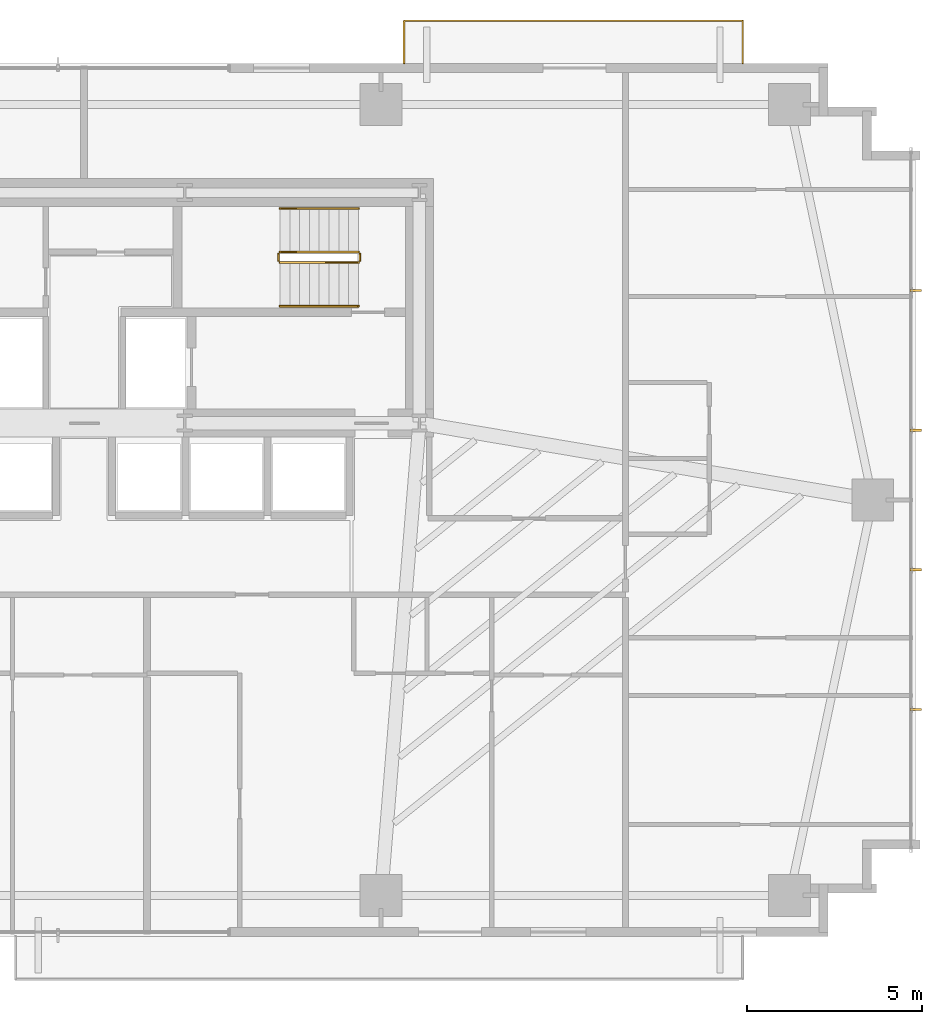
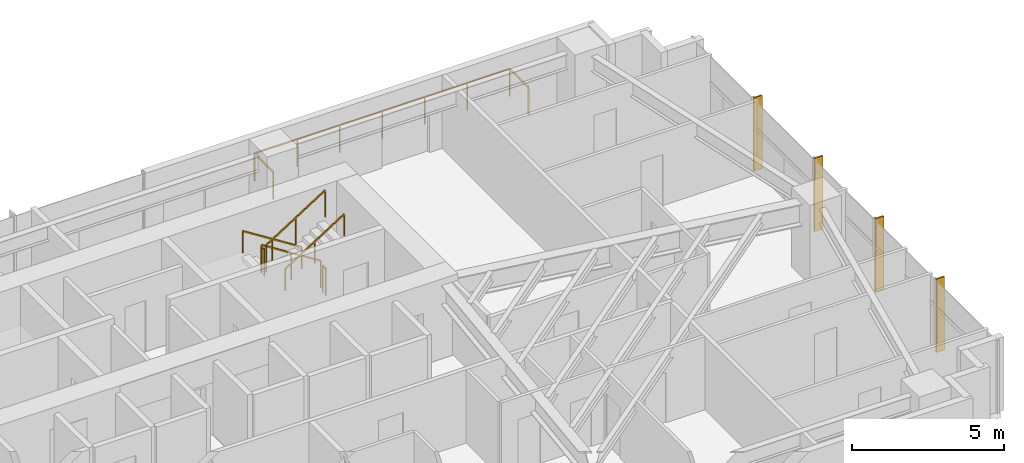
# One storey, part 25 of 25: 7 railings, 4 shading devices.
"""IFC4 building model written with IfcOpenShell, lengths in metres."""

import ifcopenshell
import ifcopenshell.guid

model = None  # the IFC model being written
_history = None  # IfcOwnerHistory: only IFC2X3 demands one
_inside = {}  # id of a spatial element -> (the spatial element, [elements in it])
_under = {}  # id of a project, library or spatial element -> (it, [spatial elements below it])
_declared = {}  # id of a project -> (the project, [libraries it declares])
_typed = {}  # id of a type object -> (the type object, [elements of that type])
_made_of = {}  # id of a material, layer set ... -> (it, [elements and type objects made of it])


def new_model(schema):
    """Start an empty IFC model of exactly this schema.

    Asked for "IFC4X3", IfcOpenShell would pick the latest addendum, in which some entities
    have other attributes; the version numbers below select the first issue.
    IFC2X3 requires an IfcOwnerHistory on every rooted entity: one is made here for all.
    """
    global model, _history
    if schema == "IFC4X3":
        model = ifcopenshell.file(schema_version=(4, 3, 0, 0))
    else:
        model = ifcopenshell.file(schema=schema)
    _inside.clear()
    _under.clear()
    _declared.clear()
    _typed.clear()
    _made_of.clear()
    _history = None
    if model.schema == "IFC2X3":
        org = make("IfcOrganization", Name="unknown")
        user = make(
            "IfcPersonAndOrganization",
            ThePerson=make("IfcPerson", FamilyName="unknown"),
            TheOrganization=org,
        )
        app = make(
            "IfcApplication",
            ApplicationDeveloper=org,
            Version="unknown",
            ApplicationFullName="unknown",
            ApplicationIdentifier="unknown",
        )
        _history = make(
            "IfcOwnerHistory",
            OwningUser=user,
            OwningApplication=app,
            ChangeAction="ADDED",
            CreationDate=0,
        )
    return model


def make(cls, **values):
    """One entity of the class cls with the attributes given. An attribute that is None is left unset."""
    return model.create_entity(
        cls, **{name: value for name, value in values.items() if value is not None}
    )


def rooted(cls, **values):
    """An entity with a GlobalId (a new one), such as an element, a storey or a relation."""
    return make(cls, GlobalId=ifcopenshell.guid.new(), OwnerHistory=_history, **values)


def si_unit(unit_type, name, prefix=None):
    """IfcSIUnit, for example si_unit("LENGTHUNIT", "METRE", prefix="MILLI")."""
    return make("IfcSIUnit", UnitType=unit_type, Prefix=prefix, Name=name)


def assignment(units):
    """IfcUnitAssignment: the units of a project."""
    return None if units is None else make("IfcUnitAssignment", Units=units)


def point(xyz):
    """IfcCartesianPoint."""
    return None if xyz is None else make("IfcCartesianPoint", Coordinates=xyz)


def direction(xyz):
    """IfcDirection."""
    return None if xyz is None else make("IfcDirection", DirectionRatios=xyz)


def frame(location, z_axis=None, x_axis=None):
    """IfcAxis2Placement3D, a coordinate frame: its origin and axes. An axis left out is left unset."""
    return make(
        "IfcAxis2Placement3D",
        Location=point(location),
        Axis=direction(z_axis),
        RefDirection=direction(x_axis),
    )


def frame_2d(location, x_axis=None):
    """IfcAxis2Placement2D, a coordinate frame in the plane: its origin and x axis."""
    return make(
        "IfcAxis2Placement2D", Location=point(location), RefDirection=direction(x_axis)
    )


def origin():
    """The frame at (0, 0, 0) with its axes left unset."""
    return frame((0.0, 0.0, 0.0))


def origin_2d():
    """The frame at (0, 0) in the plane with its x axis left unset."""
    return frame_2d((0.0, 0.0))


def place(relative_to, where):
    """IfcLocalPlacement: puts the frame where relative to a parent placement (None: the world)."""
    return make(
        "IfcLocalPlacement", PlacementRelTo=relative_to, RelativePlacement=where
    )


def context(
    kind, dimensions, precision=None, world=None, true_north=None, identifier=None
):
    """IfcGeometricRepresentationContext, for example the 3D "Model" context."""
    return make(
        "IfcGeometricRepresentationContext",
        ContextIdentifier=identifier,
        ContextType=kind,
        CoordinateSpaceDimension=dimensions,
        Precision=precision,
        WorldCoordinateSystem=world,
        TrueNorth=true_north,
    )


def subcontext(parent, identifier, kind, view, scale=None):
    """IfcGeometricRepresentationSubContext, for example "Body" below "Model"."""
    return make(
        "IfcGeometricRepresentationSubContext",
        ContextIdentifier=identifier,
        ContextType=kind,
        ParentContext=parent,
        TargetScale=scale,
        TargetView=view,
    )


def project(units=None, contexts=None):
    """IfcProject with its units and contexts."""
    return rooted(
        "IfcProject",
        Name="project",
        RepresentationContexts=contexts,
        UnitsInContext=assignment(units),
    )


def spatial(cls, under=None, at=None, **own):
    """A site, building, storey or space (cls), placed at a placement, below another one or the project."""
    s = rooted(cls, ObjectPlacement=at, **own)
    if under is not None:
        _under.setdefault(under.id(), (under, []))[1].append(s)
    return s


def profile(cls, at=None, kind="AREA", **sizes):
    """A parametric profile (cls). Its sizes go by their IFC names, for example OverallWidth=200.0."""
    return make(cls, ProfileType=kind, Position=at, **sizes)


def rectangle(**sizes):
    """IfcRectangleProfileDef."""
    return profile("IfcRectangleProfileDef", **sizes)


def extrude(swept, where, along, depth):
    """IfcExtrudedAreaSolid: the profile swept, set in the frame where, extruded along a direction by depth."""
    return make(
        "IfcExtrudedAreaSolid",
        SweptArea=swept,
        Position=where,
        ExtrudedDirection=direction(along),
        Depth=depth,
    )


def shape(context_of_items, identifier, shape_type, items):
    """IfcShapeRepresentation: the items that make up one representation, for example the "Body"."""
    return make(
        "IfcShapeRepresentation",
        ContextOfItems=context_of_items,
        RepresentationIdentifier=identifier,
        RepresentationType=shape_type,
        Items=items,
    )


def source(mapping_origin, context_of_items, identifier, shape_type, items):
    """IfcRepresentationMap: a shape defined once, which mapped items show again and again."""
    return make(
        "IfcRepresentationMap",
        MappingOrigin=mapping_origin,
        MappedRepresentation=shape(context_of_items, identifier, shape_type, items),
    )


def transform(
    local_origin,
    x_axis=None,
    y_axis=None,
    z_axis=None,
    scale=None,
    scale2=None,
    scale3=None,
    uniform=True,
):
    """IfcCartesianTransformationOperator3D, or its non-uniform kind. x_axis, y_axis, z_axis: its Axis1, 2, 3."""
    if uniform:
        return make(
            "IfcCartesianTransformationOperator3D",
            Axis1=direction(x_axis),
            Axis2=direction(y_axis),
            LocalOrigin=point(local_origin),
            Scale=scale,
            Axis3=direction(z_axis),
        )
    return make(
        "IfcCartesianTransformationOperator3DnonUniform",
        Axis1=direction(x_axis),
        Axis2=direction(y_axis),
        LocalOrigin=point(local_origin),
        Scale=scale,
        Axis3=direction(z_axis),
        Scale2=scale2,
        Scale3=scale3,
    )


def mapped(mapping_source, mapping_target):
    """IfcMappedItem: shows the shape of a source again, moved by a transform."""
    return make(
        "IfcMappedItem", MappingSource=mapping_source, MappingTarget=mapping_target
    )


def material(Name=None, Category=None):
    """IfcMaterial."""
    return make("IfcMaterial", Name=Name, Category=Category)


def made_of(thing, what):
    """Note that an element or type object is made of a material, layer set ...; save() writes the relation."""
    if what is not None:
        _made_of.setdefault(what.id(), (what, []))[1].append(thing)
    return thing


def type_object(cls, material=None, **own):
    """A type object (cls), such as IfcWallType, which elements share."""
    return made_of(rooted(cls, **own), material)


def type_shapes(of_type, sources):
    """Give a type object the sources (RepresentationMaps) that its elements show as mapped items."""
    of_type.RepresentationMaps = sources


def element(
    cls,
    number,
    at=None,
    inside=None,
    cuts=None,
    type_object=None,
    material=None,
    context=None,
    identifier="Body",
    shape_type=None,
    held_by="IfcProductDefinitionShape",
    body=None,
    shapes=None,
    **own,
):
    """One element of the class cls, such as IfcWall. Its Tag is "e" and its number.

    at: its placement. inside: the storey or other place that contains it. cuts: it is an
    opening in that element (IfcRelVoidsElement). A single representation is given by context,
    identifier, shape_type and body (its items); several are given by shapes. held_by: the class
    of the entity that holds the representations. save() writes the other relations.
    """
    e = rooted(cls, Tag="e%d" % number, ObjectPlacement=at, **own)
    if body is not None:
        shapes = [shape(context, identifier, shape_type, body)]
    if shapes is not None:
        e.Representation = make(held_by, Representations=shapes)
    if inside is not None:
        _inside.setdefault(inside.id(), (inside, []))[1].append(e)
    if cuts is not None:
        rooted(
            "IfcRelVoidsElement", RelatingBuildingElement=cuts, RelatedOpeningElement=e
        )
    if type_object is not None:
        _typed.setdefault(type_object.id(), (type_object, []))[1].append(e)
    return made_of(e, material)


def aggregate(whole, parts):
    """IfcRelAggregates: a whole, such as a stair, and the parts it consists of."""
    return rooted("IfcRelAggregates", RelatingObject=whole, RelatedObjects=parts)


def save(model, path):
    """Write the relations noted so far, then the file.

    IfcRelAggregates (storeys below a building ...), IfcRelContainedInSpatialStructure (elements
    in a storey), IfcRelDefinesByType, IfcRelAssociatesMaterial and IfcRelDeclares: one each for
    every whole, place, type object, material and project.
    """
    for whole, parts in _under.values():
        aggregate(whole, parts)
    for where, things in _inside.values():
        rooted(
            "IfcRelContainedInSpatialStructure",
            RelatedElements=things,
            RelatingStructure=where,
        )
    for kind, things in _typed.values():
        rooted("IfcRelDefinesByType", RelatedObjects=things, RelatingType=kind)
    for what, things in _made_of.values():
        rooted("IfcRelAssociatesMaterial", RelatedObjects=things, RelatingMaterial=what)
    for by, libraries in _declared.values():
        rooted("IfcRelDeclares", RelatingContext=by, RelatedDefinitions=libraries)
    model.write(path)


model = new_model("IFC4")

# Units and contexts
model_context = context("Model", 3, precision=1e-05, world=origin(), true_north=direction((0.0, 1.0)))
body_context = subcontext(model_context, "Body", "Model", "MODEL_VIEW")
ifc_project = project(units=[si_unit("LENGTHUNIT", "METRE"), si_unit("AREAUNIT", "SQUARE_METRE"), si_unit("VOLUMEUNIT", "CUBIC_METRE"), si_unit("PLANEANGLEUNIT", "RADIAN"), si_unit("MASSUNIT", "GRAM", prefix="KILO")], contexts=[model_context])

# Site, building, storey
site_placement = place(None, origin())
site = spatial("IfcSite", under=ifc_project, at=site_placement, CompositionType="ELEMENT")
building_placement = place(site_placement, origin())
building = spatial("IfcBuilding", under=site, at=building_placement, Name="Astriad Promenade Condominiums", CompositionType="ELEMENT")
storey_placement = place(building_placement, frame((0.0, 0.0, 35.800048828125)))
storey = spatial("IfcBuildingStorey", under=building, at=storey_placement, Name="L09", CompositionType="ELEMENT", Elevation=35.800048828125)

# Shading devices
ifc_material_1 = material(Name="Anodised aluminium 6063-T6 Black Fin", Category="aluminium")
shading_device_type = type_object("IfcShadingDeviceType", Name="FIN-BLACK-320", PredefinedType="USERDEFINED", material=ifc_material_1)
shared_shape_1 = source(origin(), body_context, "Body", "SweptSolid", [
    extrude(rectangle(XDim=0.06494140625, YDim=0.320068359375, at=origin_2d()), origin(), (0.0, 0.0, 1.0), 2.93994140625),
])
type_shapes(shading_device_type, [shared_shape_1])
for number, where, z_axis, x_axis, name in (
    (1, (59.81005859375, 21.199951171875, 0.0), (0.0, 0.0, 1.0), (0.0, -1.0, 0.0), "CW-L09-E-FIN-01"),
    (2, (59.81005859375, 17.199951171875, 0.0), (0.0, 0.0, 1.0), (0.0, -1.0, 0.0), "CW-L09-E-FIN-02"),
    (3, (59.81005859375, 13.199951171875, 0.0), (0.0, 0.0, 1.0), (0.0, -1.0, 0.0), "CW-L09-E-FIN-03"),
    (4, (59.81005859375, 9.199951171875, 0.0), (0.0, 0.0, 1.0), (0.0, -1.0, 0.0), "CW-L09-E-FIN-04"),
):
    element("IfcShadingDevice", number, at=place(storey_placement, frame(where, z_axis=z_axis, x_axis=x_axis)), inside=storey, type_object=shading_device_type, Name=name, ObjectType="FIN", PredefinedType="USERDEFINED", context=body_context, shape_type="MappedRepresentation", body=[
        mapped(shared_shape_1, transform((0.0, 0.0, 0.0), scale=1.0)),
    ])

# Railings
ifc_material_2 = material(Name="Laminated Glass and Stainless Steel Balustrade", Category="steel")
railing_type_1 = type_object("IfcRailingType", Name="GRD-BALC-1120", PredefinedType="BALUSTRADE", material=ifc_material_2)
shared_shape_2 = source(origin(), body_context, "Body", "SweptSolid", [
    extrude(rectangle(XDim=0.048095703125, YDim=0.048095703125, at=origin_2d()), frame((0.0, 0.0, 1.09619140625), z_axis=(0.0, 1.0, 0.0), x_axis=(-1.0, 0.0, 0.0)), (0.0, 0.0, 1.0), 1.219970703125),
    extrude(rectangle(XDim=0.048095703125, YDim=0.048095703125, at=origin_2d()), frame((0.0, 1.219970703125, 1.09619140625), z_axis=(-1.0, 0.0, 0.0), x_axis=(0.0, -1.0, 0.0)), (0.0, 0.0, 1.0), 9.696044921875),
    extrude(rectangle(XDim=0.048095703125, YDim=0.048095703125, at=origin_2d()), frame((-9.696044921875, 1.219970703125, 1.09619140625), z_axis=(0.0, -1.0, 0.0), x_axis=(1.0, 0.0, 0.0)), (0.0, 0.0, 1.0), 1.219970703125),
    extrude(rectangle(XDim=0.0419921875, YDim=0.0419921875, at=origin_2d()), origin(), (0.0, 0.0, 1.0), 1.072021484375),
    extrude(rectangle(XDim=0.0419921875, YDim=0.0419921875, at=origin_2d()), frame((0.0, 1.219970703125, 0.0)), (0.0, 0.0, 1.0), 1.072021484375),
    extrude(rectangle(XDim=0.0419921875, YDim=0.0419921875, at=origin_2d()), frame((-1.615966796875, 1.219970703125, 0.0)), (0.0, 0.0, 1.0), 1.072021484375),
    extrude(rectangle(XDim=0.0419921875, YDim=0.0419921875, at=origin_2d()), frame((-3.23193359375, 1.219970703125, 0.0)), (0.0, 0.0, 1.0), 1.072021484375),
    extrude(rectangle(XDim=0.0419921875, YDim=0.0419921875, at=origin_2d()), frame((-4.84814453125, 1.219970703125, 0.0)), (0.0, 0.0, 1.0), 1.072021484375),
    extrude(rectangle(XDim=0.0419921875, YDim=0.0419921875, at=origin_2d()), frame((-6.464111328125, 1.219970703125, 0.0)), (0.0, 0.0, 1.0), 1.072021484375),
    extrude(rectangle(XDim=0.0419921875, YDim=0.0419921875, at=origin_2d()), frame((-8.080078125, 1.219970703125, 0.0)), (0.0, 0.0, 1.0), 1.072021484375),
    extrude(rectangle(XDim=0.0419921875, YDim=0.0419921875, at=origin_2d()), frame((-9.696044921875, 1.219970703125, 0.0)), (0.0, 0.0, 1.0), 1.072021484375),
    extrude(rectangle(XDim=0.0419921875, YDim=0.0419921875, at=origin_2d()), frame((-9.696044921875, 0.0, 0.0)), (0.0, 0.0, 1.0), 1.072021484375),
])
type_shapes(railing_type_1, [shared_shape_2])
railing_1_placement = place(storey_placement, frame((54.85595703125, 27.699951171875, 0.0)))
element("IfcRailing", 5, at=railing_1_placement, inside=storey, type_object=railing_type_1, Name="GRD-BALC-L09-NE", PredefinedType="BALUSTRADE", context=body_context, shape_type="MappedRepresentation", body=[
    mapped(shared_shape_2, transform((0.0, 0.0, 0.0), scale=1.0)),
])
ifc_material_3 = material(Name="Painted Galvanised Steel Guardrail", Category="steel")
railing_type_2 = type_object("IfcRailingType", Name="GRD-STAIR-1100", PredefinedType="GUARDRAIL", material=ifc_material_3)
shared_shape_3 = source(origin(), body_context, "Body", "SweptSolid", [
    extrude(rectangle(XDim=0.048095703125, YDim=0.048095703125, at=origin_2d()), frame((0.0, 0.0, 1.076171875), z_axis=(-0.8442293374, 0.0, 0.53598211339), x_axis=(0.0, -1.0, 0.0)), (0.0, 0.0, 1.0), 2.6533203125),
    extrude(rectangle(XDim=0.0419921875, YDim=0.0419921875, at=origin_2d()), origin(), (0.0, 0.0, 1.0), 1.052001953125),
    extrude(rectangle(XDim=0.0419921875, YDim=0.0419921875, at=origin_2d()), frame((-1.1201171875, 0.0, 0.7109375)), (0.0, 0.0, 1.0), 1.052001953125),
    extrude(rectangle(XDim=0.0419921875, YDim=0.0419921875, at=origin_2d()), frame((-2.239990234375, 0.0, 1.422119140625)), (0.0, 0.0, 1.0), 1.052001953125),
])
railing_2_placement = place(storey_placement, frame((43.85009765625, 22.300048828125, 0.177734375)))
element("IfcRailing", 6, at=railing_2_placement, inside=storey, type_object=railing_type_2, Name="L09 ST-2 stair guard 1", PredefinedType="GUARDRAIL", context=body_context, shape_type="MappedRepresentation", body=[
    mapped(shared_shape_3, transform((0.0, 0.0, 0.0), scale=1.0)),
])
ifc_material_4 = material(Name="Brushed Stainless Steel Handrail", Category="steel")
railing_type_3 = type_object("IfcRailingType", Name="HRL-STAIR-920", PredefinedType="HANDRAIL", material=ifc_material_4)
shared_shape_4 = source(origin(), body_context, "Body", "SweptSolid", [
    extrude(rectangle(XDim=0.048095703125, YDim=0.048095703125, at=origin_2d()), frame((0.0, 0.0, 0.8759765625), z_axis=(-0.8442293374, 0.0, 0.53598211339), x_axis=(0.0, -1.0, 0.0)), (0.0, 0.0, 1.0), 2.6533203125),
    extrude(rectangle(XDim=0.0419921875, YDim=0.0419921875, at=origin_2d()), origin(), (0.0, 0.0, 1.0), 0.851806640625),
    extrude(rectangle(XDim=0.0419921875, YDim=0.0419921875, at=origin_2d()), frame((-1.1201171875, 0.0, 0.7109375)), (0.0, 0.0, 1.0), 0.851806640625),
    extrude(rectangle(XDim=0.0419921875, YDim=0.0419921875, at=origin_2d()), frame((-2.239990234375, 0.0, 1.422119140625)), (0.0, 0.0, 1.0), 0.851806640625),
])
railing_3_placement = place(storey_placement, frame((43.85009765625, 23.550048828125, 0.177734375)))
element("IfcRailing", 7, at=railing_3_placement, inside=storey, type_object=railing_type_3, Name="L09 ST-2 stair handrail 1", PredefinedType="HANDRAIL", context=body_context, shape_type="MappedRepresentation", body=[
    mapped(shared_shape_4, transform((0.0, 0.0, 0.0), scale=1.0)),
])
shared_shape_5 = source(origin(), body_context, "Body", "SweptSolid", [
    extrude(rectangle(XDim=0.048095703125, YDim=0.048095703125, at=origin_2d()), frame((0.0, 0.0, 1.076171875), z_axis=(0.8442293374, 0.0, 0.53598211339), x_axis=(0.0, 1.0, 0.0)), (0.0, 0.0, 1.0), 2.6533203125),
    extrude(rectangle(XDim=0.0419921875, YDim=0.0419921875, at=origin_2d()), origin(), (0.0, 0.0, 1.0), 1.052001953125),
    extrude(rectangle(XDim=0.0419921875, YDim=0.0419921875, at=origin_2d()), frame((1.1201171875, 0.0, 0.7109375)), (0.0, 0.0, 1.0), 1.052001953125),
    extrude(rectangle(XDim=0.0419921875, YDim=0.0419921875, at=origin_2d()), frame((2.239990234375, 0.0, 1.422119140625)), (0.0, 0.0, 1.0), 1.052001953125),
])
railing_4_placement = place(storey_placement, frame((41.610107421875, 22.0, 1.77783203125)))
element("IfcRailing", 8, at=railing_4_placement, inside=storey, type_object=railing_type_2, Name="L09 ST-2 stair guard 3", PredefinedType="GUARDRAIL", context=body_context, shape_type="MappedRepresentation", body=[
    mapped(shared_shape_5, transform((0.0, 0.0, 0.0), scale=1.0)),
])
shared_shape_6 = source(origin(), body_context, "Body", "SweptSolid", [
    extrude(rectangle(XDim=0.048095703125, YDim=0.048095703125, at=origin_2d()), frame((0.0, 0.0, 0.8759765625), z_axis=(0.8442293374, 0.0, 0.53598211339), x_axis=(0.0, 1.0, 0.0)), (0.0, 0.0, 1.0), 2.6533203125),
    extrude(rectangle(XDim=0.0419921875, YDim=0.0419921875, at=origin_2d()), origin(), (0.0, 0.0, 1.0), 0.851806640625),
    extrude(rectangle(XDim=0.0419921875, YDim=0.0419921875, at=origin_2d()), frame((1.1201171875, 0.0, 0.7109375)), (0.0, 0.0, 1.0), 0.851806640625),
    extrude(rectangle(XDim=0.0419921875, YDim=0.0419921875, at=origin_2d()), frame((2.239990234375, 0.0, 1.422119140625)), (0.0, 0.0, 1.0), 0.851806640625),
])
type_shapes(railing_type_3, [shared_shape_4, shared_shape_6])
railing_5_placement = place(storey_placement, frame((41.610107421875, 20.75, 1.77783203125)))
element("IfcRailing", 9, at=railing_5_placement, inside=storey, type_object=railing_type_3, Name="L09 ST-2 stair handrail 2", PredefinedType="HANDRAIL", context=body_context, shape_type="MappedRepresentation", body=[
    mapped(shared_shape_6, transform((0.0, 0.0, 0.0), scale=1.0)),
])
shared_shape_7 = source(origin(), body_context, "Body", "SweptSolid", [
    extrude(rectangle(XDim=0.048095703125, YDim=0.048095703125, at=origin_2d()), frame((0.0, 0.0, 1.076171875), z_axis=(0.0, -1.0, 0.0), x_axis=(1.0, 0.0, 0.0)), (0.0, 0.0, 1.0), 0.199951171875),
    extrude(rectangle(XDim=0.0419921875, YDim=0.0419921875, at=origin_2d()), origin(), (0.0, 0.0, 1.0), 1.052001953125),
    extrude(rectangle(XDim=0.0419921875, YDim=0.0419921875, at=origin_2d()), frame((0.0, -0.199951171875, 0.0)), (0.0, 0.0, 1.0), 1.052001953125),
])
type_shapes(railing_type_2, [shared_shape_3, shared_shape_5, shared_shape_7])
for number, where, name in (
    (10, (41.56005859375, 22.25, 1.599853515625), "L09 ST-2 stair guard 2"),
    (11, (43.89990234375, 22.25, 0.0), "L09 ST-2 stair guard 4"),
):
    element("IfcRailing", number, at=place(storey_placement, frame(where)), inside=storey, type_object=railing_type_2, Name=name, PredefinedType="GUARDRAIL", context=body_context, shape_type="MappedRepresentation", body=[
        mapped(shared_shape_7, transform((0.0, 0.0, 0.0), scale=1.0)),
    ])

save(model, "model.ifc")
